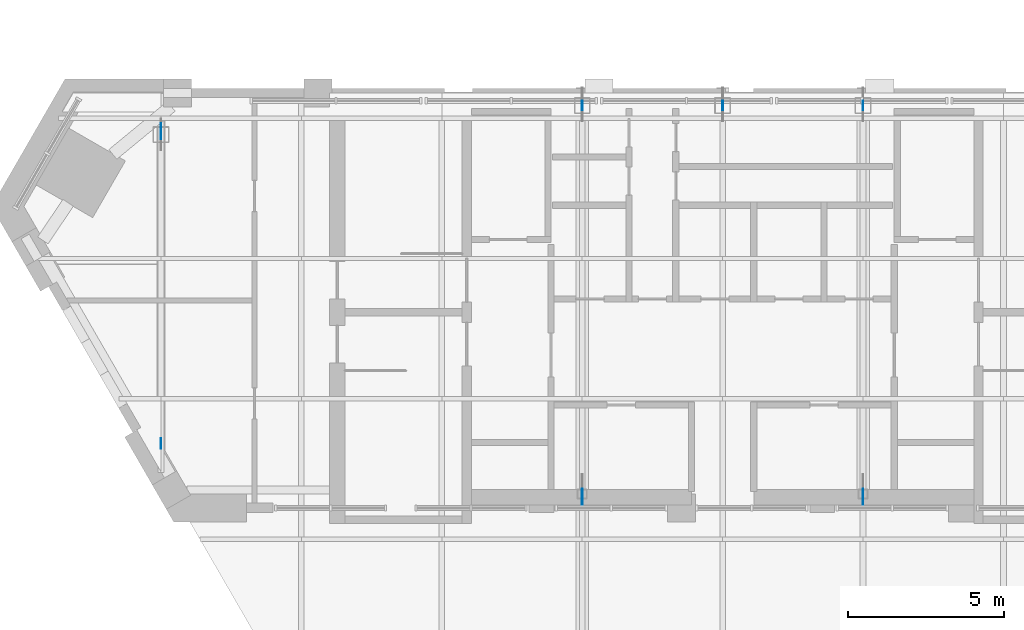
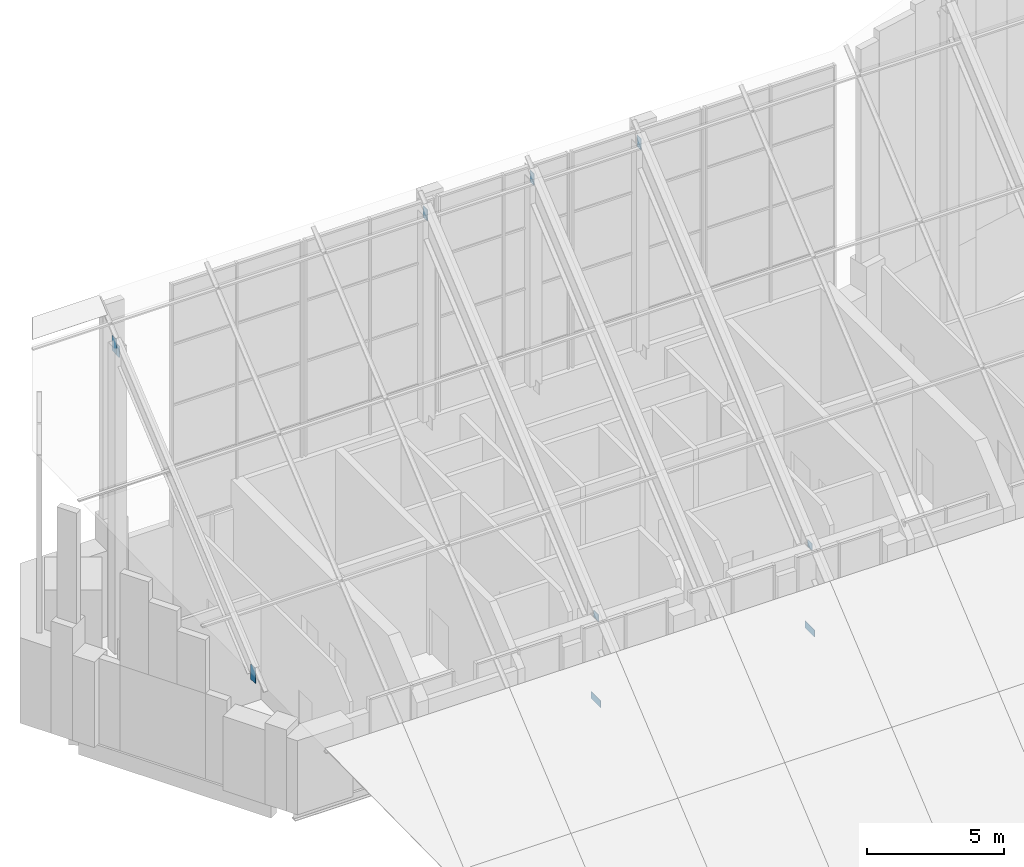
# One storey, part 17 of 19: 10 discrete accessories.
"""IFC4 building model written with IfcOpenShell, lengths in metres."""

from ifc_helpers import new_model, si_unit, direction, frame, origin, origin_2d, place, context, subcontext, project, spatial, rectangle, extrude, material, type_object, element, save


model = new_model("IFC4")

# Units and contexts
model_context = context("Model", 3, precision=1e-05, world=origin(), true_north=direction((0.0, 1.0)))
body_context = subcontext(model_context, "Body", "Model", "MODEL_VIEW")
ifc_project = project(units=[si_unit("LENGTHUNIT", "METRE"), si_unit("AREAUNIT", "SQUARE_METRE"), si_unit("VOLUMEUNIT", "CUBIC_METRE"), si_unit("PLANEANGLEUNIT", "RADIAN"), si_unit("MASSUNIT", "GRAM", prefix="KILO")], contexts=[model_context])

# Site, building, storey
site_placement = place(None, origin())
site = spatial("IfcSite", under=ifc_project, at=site_placement, CompositionType="ELEMENT")
building_placement = place(site_placement, origin())
building = spatial("IfcBuilding", under=site, at=building_placement, Name="Calabash Gate Tower", CompositionType="ELEMENT")
storey_placement = place(building_placement, frame((0.0, 0.0, 335.5)))
storey = spatial("IfcBuildingStorey", under=building, at=storey_placement, Name="L78", CompositionType="ELEMENT", Elevation=335.5)

# Discrete accessories
ifc_material = material(Name="Steel ASTM A572 Gr50", Category="steel")
discrete_accessory_type = type_object("IfcDiscreteAccessoryType", Name="Connection plate 25", PredefinedType="BRACKET", material=ifc_material)
discrete_accessory_1_placement = place(storey_placement, frame((-18.0, 7.81591796875, 4.56103515625), z_axis=(0.0, 0.0, 1.0), x_axis=(0.0, 1.0, 0.0)))
element("IfcDiscreteAccessory", 1, at=discrete_accessory_1_placement, inside=storey, type_object=discrete_accessory_type, Name="Connection plate Roof rafter 1 start", PredefinedType="BRACKET", context=body_context, shape_type="SweptSolid", body=[
    extrude(rectangle(XDim=0.335205078125, YDim=0.02490234375, at=origin_2d()), origin(), (0.0, 0.0, 1.0), 0.67822265625),
])
discrete_accessory_2_placement = place(storey_placement, frame((-18.0, 17.93505859375, 13.066650390625), z_axis=(0.0, 0.0, 1.0), x_axis=(0.0, 1.0, 0.0)))
element("IfcDiscreteAccessory", 2, at=discrete_accessory_2_placement, inside=storey, type_object=discrete_accessory_type, Name="Connection plate Roof rafter 1 end", PredefinedType="BRACKET", context=body_context, shape_type="SweptSolid", body=[
    extrude(rectangle(XDim=0.300048828125, YDim=0.02490234375, at=origin_2d()), origin(), (0.0, 0.0, 1.0), 0.67822265625),
])
discrete_accessory_3_placement = place(storey_placement, frame((-18.0, 17.717041015625, 13.05419921875), z_axis=(0.0, 0.0, 1.0), x_axis=(0.0, 1.0, 0.0)))
element("IfcDiscreteAccessory", 3, at=discrete_accessory_3_placement, inside=storey, type_object=discrete_accessory_type, Name="Connection plate Roof post 2 end", PredefinedType="BRACKET", context=body_context, shape_type="SweptSolid", body=[
    extrude(rectangle(XDim=0.300048828125, YDim=0.02490234375, at=origin_2d()), origin(), (0.0, 0.0, 1.0), 0.508056640625),
])
discrete_accessory_4_placement = place(storey_placement, frame((-4.5, 6.204345703125, -0.15234375), z_axis=(0.0, 0.0, 1.0), x_axis=(0.0, 1.0, 0.0)))
element("IfcDiscreteAccessory", 4, at=discrete_accessory_4_placement, inside=storey, type_object=discrete_accessory_type, Name="Connection plate Roof post 4 start", PredefinedType="BRACKET", context=body_context, shape_type="SweptSolid", body=[
    extrude(rectangle(XDim=0.687744140625, YDim=0.02490234375, at=origin_2d()), origin(), (0.0, 0.0, 1.0), 0.3046875),
])
discrete_accessory_5_placement = place(storey_placement, frame((-4.5, 6.204345703125, 3.581298828125), z_axis=(0.0, 0.0, 1.0), x_axis=(0.0, 1.0, 0.0)))
element("IfcDiscreteAccessory", 5, at=discrete_accessory_5_placement, inside=storey, type_object=discrete_accessory_type, Name="Connection plate Roof post 4 end", PredefinedType="BRACKET", context=body_context, shape_type="SweptSolid", body=[
    extrude(rectangle(XDim=0.337646484375, YDim=0.02490234375, at=origin_2d()), origin(), (0.0, 0.0, 1.0), 0.3046875),
])
for number, where, z_axis, x_axis, name in (
    (6, (-4.5, 18.652587890625, 13.8388671875), (0.0, 0.0, 1.0), (0.0, 1.0, 0.0), "Connection plate Roof post 5 end"),
    (7, (0.0, 18.652587890625, 13.8388671875), (0.0, 0.0, 1.0), (0.0, 1.0, 0.0), "Connection plate Roof post 7 end"),
):
    element("IfcDiscreteAccessory", number, at=place(storey_placement, frame(where, z_axis=z_axis, x_axis=x_axis)), inside=storey, type_object=discrete_accessory_type, Name=name, PredefinedType="BRACKET", context=body_context, shape_type="SweptSolid", body=[
        extrude(rectangle(XDim=0.300048828125, YDim=0.02490234375, at=origin_2d()), origin(), (0.0, 0.0, 1.0), 0.508056640625),
    ])
discrete_accessory_6_placement = place(storey_placement, frame((4.5, 6.204345703125, -0.15234375), z_axis=(0.0, 0.0, 1.0), x_axis=(0.0, 1.0, 0.0)))
element("IfcDiscreteAccessory", 8, at=discrete_accessory_6_placement, inside=storey, type_object=discrete_accessory_type, Name="Connection plate Roof post 9 start", PredefinedType="BRACKET", context=body_context, shape_type="SweptSolid", body=[
    extrude(rectangle(XDim=0.687744140625, YDim=0.02490234375, at=origin_2d()), origin(), (0.0, 0.0, 1.0), 0.3046875),
])
discrete_accessory_7_placement = place(storey_placement, frame((4.5, 6.204345703125, 3.581298828125), z_axis=(0.0, 0.0, 1.0), x_axis=(0.0, 1.0, 0.0)))
element("IfcDiscreteAccessory", 9, at=discrete_accessory_7_placement, inside=storey, type_object=discrete_accessory_type, Name="Connection plate Roof post 9 end", PredefinedType="BRACKET", context=body_context, shape_type="SweptSolid", body=[
    extrude(rectangle(XDim=0.337646484375, YDim=0.02490234375, at=origin_2d()), origin(), (0.0, 0.0, 1.0), 0.3046875),
])
discrete_accessory_8_placement = place(storey_placement, frame((4.5, 18.652587890625, 13.8388671875), z_axis=(0.0, 0.0, 1.0), x_axis=(0.0, 1.0, 0.0)))
element("IfcDiscreteAccessory", 10, at=discrete_accessory_8_placement, inside=storey, type_object=discrete_accessory_type, Name="Connection plate Roof post 10 end", PredefinedType="BRACKET", context=body_context, shape_type="SweptSolid", body=[
    extrude(rectangle(XDim=0.300048828125, YDim=0.02490234375, at=origin_2d()), origin(), (0.0, 0.0, 1.0), 0.508056640625),
])

save(model, "model.ifc")
